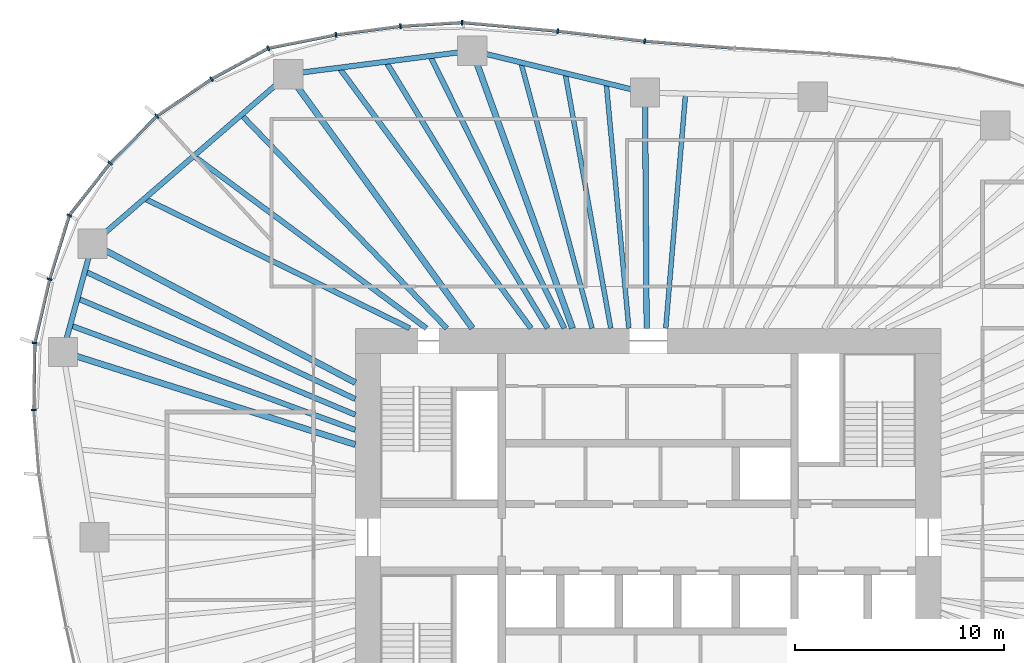
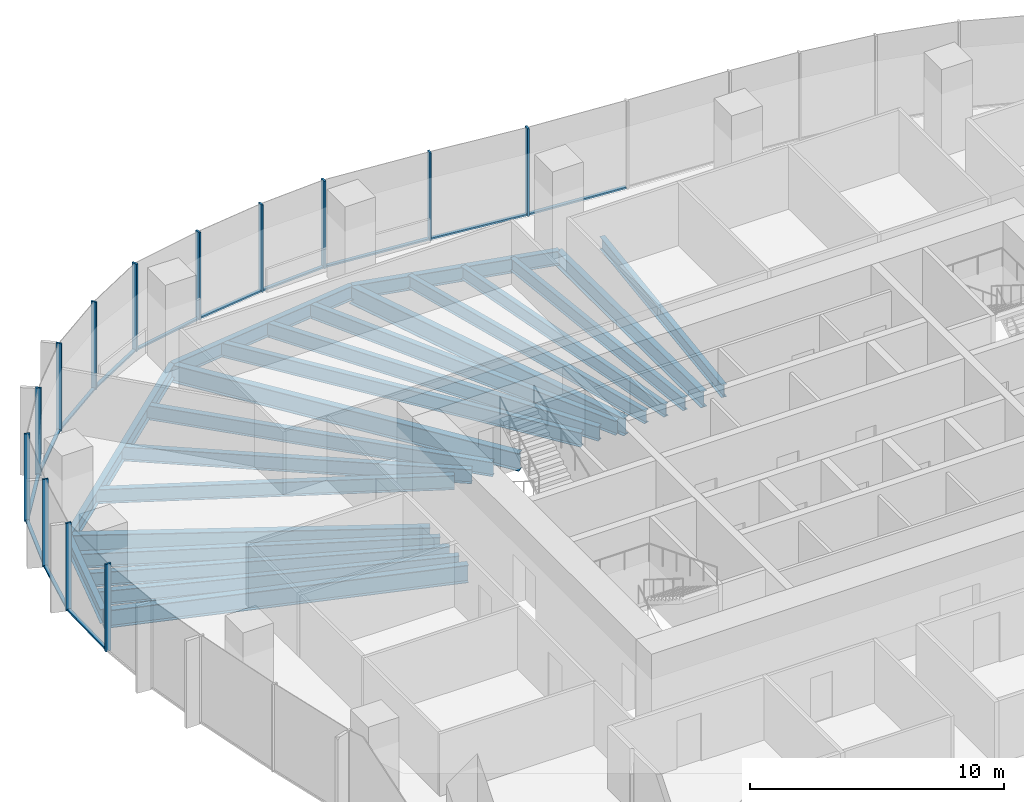
# One storey, part 5 of 18: 26 members, 22 beams, 6 elements without a shape of their own.
"""IFC4 building model written with IfcOpenShell, lengths in metres."""

from ifc_helpers import new_model, si_unit, direction, frame, origin, origin_2d, place, context, subcontext, project, spatial, rectangle, i_section, extrude, material, material_profile, profile_set, type_object, element, aggregate, save


model = new_model("IFC4")

# Units and contexts
model_context = context("Model", 3, precision=1e-05, world=origin(), true_north=direction((0.0, 1.0)))
body_context = subcontext(model_context, "Body", "Model", "MODEL_VIEW")
ifc_project = project(units=[si_unit("LENGTHUNIT", "METRE"), si_unit("AREAUNIT", "SQUARE_METRE"), si_unit("VOLUMEUNIT", "CUBIC_METRE"), si_unit("PLANEANGLEUNIT", "RADIAN"), si_unit("MASSUNIT", "GRAM", prefix="KILO")], contexts=[model_context])

# Site, building, storey
site_placement = place(None, origin())
site = spatial("IfcSite", under=ifc_project, at=site_placement, CompositionType="ELEMENT")
building_placement = place(site_placement, origin())
building = spatial("IfcBuilding", under=site, at=building_placement, Name="Ghaith Harvest Tower", CompositionType="ELEMENT")
storey_placement = place(building_placement, frame((0.0, 0.0, 151.199951171875)))
storey = spatial("IfcBuildingStorey", under=building, at=storey_placement, Name="L32", CompositionType="ELEMENT", Elevation=151.199951171875)

# Curtain wall, members
ifc_material_1 = material(Name="Black anodised aluminium and fritted glass", Category="aluminium")
curtain_wall_type = type_object("IfcCurtainWallType", Name="CW-L CURTAIN WALL", PredefinedType="NOTDEFINED", material=ifc_material_1)
curtain_wall_1_placement = place(storey_placement, origin())
curtain_wall_1 = element("IfcCurtainWall", 1, at=curtain_wall_1_placement, inside=storey, type_object=curtain_wall_type, Name="Curtain wall CW-L bay 06 L32", PredefinedType="NOTDEFINED")
ifc_material_2 = material(Name="Aluminium, black anodised", Category="aluminium")
ifc_material_profile_1 = material_profile(ifc_material_2, rectangle(XDim=0.080078125, YDim=0.239990234375, at=origin_2d()), Name="CW-L MULLION 80x240")
ifc_profile_set_1 = profile_set([ifc_material_profile_1], Name="Aluminium, black anodised")
member_type_1 = type_object("IfcMemberType", Name="CW-L MULLION 80x240", PredefinedType="MULLION", material=ifc_profile_set_1)
member_1_placement = place(storey_placement, frame((-0.162353515625, 23.729736328125, 0.0), z_axis=(0.0, 0.0, 1.0), x_axis=(-0.995388088953, 0.095929934691, 0.0)))
member_1 = element("IfcMember", 2, at=member_1_placement, type_object=member_type_1, Name="CW-L mullion 1 bay 06 L32", PredefinedType="MULLION", context=body_context, shape_type="SweptSolid", body=[
    extrude(rectangle(XDim=0.080078125, YDim=0.239990234375, at=origin_2d()), origin(), (0.0, 0.0, 1.0), 4.199951171875),
])
member_2_placement = place(storey_placement, frame((-4.322998046875, 24.207275390625, 0.0), z_axis=(0.0, 0.0, 1.0), x_axis=(-0.994830371571, 0.101550636625, 0.0)))
member_2 = element("IfcMember", 3, at=member_2_placement, type_object=member_type_1, Name="CW-L mullion 2 bay 06 L32", PredefinedType="MULLION", context=body_context, shape_type="SweptSolid", body=[
    extrude(rectangle(XDim=0.080078125, YDim=0.239990234375, at=origin_2d()), origin(), (0.0, 0.0, 1.0), 4.199951171875),
])

curtain_wall_2_placement = place(storey_placement, origin())
curtain_wall_2 = element("IfcCurtainWall", 4, at=curtain_wall_2_placement, inside=storey, type_object=curtain_wall_type, Name="Curtain wall CW-L bay 07 L32", PredefinedType="NOTDEFINED")
member_3_placement = place(storey_placement, frame((-8.892578125, 24.620849609375, 0.0), z_axis=(0.0, 0.0, 1.0), x_axis=(-0.999522209385, 0.030908784286, 0.0)))
member_3 = element("IfcMember", 5, at=member_3_placement, type_object=member_type_1, Name="CW-L mullion 1 bay 07 L32", PredefinedType="MULLION", context=body_context, shape_type="SweptSolid", body=[
    extrude(rectangle(XDim=0.080078125, YDim=0.239990234375, at=origin_2d()), origin(), (0.0, 0.0, 1.0), 4.199951171875),
])
member_4_placement = place(storey_placement, frame((-11.841064453125, 24.439697265625, 0.0), z_axis=(0.0, 0.0, 1.0), x_axis=(-0.995237520168, -0.097479630949, 0.0)))
member_4 = element("IfcMember", 6, at=member_4_placement, type_object=member_type_1, Name="CW-L mullion 2 bay 07 L32", PredefinedType="MULLION", context=body_context, shape_type="SweptSolid", body=[
    extrude(rectangle(XDim=0.080078125, YDim=0.239990234375, at=origin_2d()), origin(), (0.0, 0.0, 1.0), 4.199951171875),
])
member_5_placement = place(storey_placement, frame((-14.923828125, 24.030029296875, 0.0), z_axis=(0.0, 0.0, 1.0), x_axis=(-0.986494514812, -0.163794298578, 0.0)))
member_5 = element("IfcMember", 7, at=member_5_placement, type_object=member_type_1, Name="CW-L mullion 3 bay 07 L32", PredefinedType="MULLION", context=body_context, shape_type="SweptSolid", body=[
    extrude(rectangle(XDim=0.080078125, YDim=0.239990234375, at=origin_2d()), origin(), (0.0, 0.0, 1.0), 4.199951171875),
])

curtain_wall_3_placement = place(storey_placement, origin())
curtain_wall_3 = element("IfcCurtainWall", 8, at=curtain_wall_3_placement, inside=storey, type_object=curtain_wall_type, Name="Curtain wall CW-L bay 08 L32", PredefinedType="NOTDEFINED")
member_6_placement = place(storey_placement, frame((-18.165283203125, 23.3896484375, 0.0), z_axis=(0.0, 0.0, 1.0), x_axis=(-0.942103541202, -0.335322110298, 0.0)))
member_6 = element("IfcMember", 9, at=member_6_placement, type_object=member_type_1, Name="CW-L mullion 1 bay 08 L32", PredefinedType="MULLION", context=body_context, shape_type="SweptSolid", body=[
    extrude(rectangle(XDim=0.080078125, YDim=0.239990234375, at=origin_2d()), origin(), (0.0, 0.0, 1.0), 4.199951171875),
])
member_7_placement = place(storey_placement, frame((-20.87548828125, 21.91162109375, 0.0), z_axis=(0.0, 0.0, 1.0), x_axis=(-0.853515864435, -0.521066856707, 0.0)))
member_7 = element("IfcMember", 10, at=member_7_placement, type_object=member_type_1, Name="CW-L mullion 2 bay 08 L32", PredefinedType="MULLION", context=body_context, shape_type="SweptSolid", body=[
    extrude(rectangle(XDim=0.080078125, YDim=0.239990234375, at=origin_2d()), origin(), (0.0, 0.0, 1.0), 4.199951171875),
])
member_8_placement = place(storey_placement, frame((-23.489501953125, 20.13916015625, 0.0), z_axis=(0.0, 0.0, 1.0), x_axis=(-0.769682554376, -0.638426789451, 0.0)))
member_8 = element("IfcMember", 11, at=member_8_placement, type_object=member_type_1, Name="CW-L mullion 3 bay 08 L32", PredefinedType="MULLION", context=body_context, shape_type="SweptSolid", body=[
    extrude(rectangle(XDim=0.080078125, YDim=0.239990234375, at=origin_2d()), origin(), (0.0, 0.0, 1.0), 4.199951171875),
])

curtain_wall_4_placement = place(storey_placement, origin())
curtain_wall_4 = element("IfcCurtainWall", 12, at=curtain_wall_4_placement, inside=storey, type_object=curtain_wall_type, Name="Curtain wall CW-L bay 09 L32", PredefinedType="NOTDEFINED")
member_9_placement = place(storey_placement, frame((-25.718017578125, 17.894775390625, 0.0), z_axis=(0.0, 0.0, 1.0), x_axis=(-0.661903840688, -0.749588757708, 0.0)))
member_9 = element("IfcMember", 13, at=member_9_placement, type_object=member_type_1, Name="CW-L mullion 1 bay 09 L32", PredefinedType="MULLION", context=body_context, shape_type="SweptSolid", body=[
    extrude(rectangle(XDim=0.080078125, YDim=0.239990234375, at=origin_2d()), origin(), (0.0, 0.0, 1.0), 4.199951171875),
])
member_10_placement = place(storey_placement, frame((-27.67919921875, 15.39453125, 0.0), z_axis=(0.0, 0.0, 1.0), x_axis=(-0.462889784298, -0.886415843491, 0.0)))
member_10 = element("IfcMember", 14, at=member_10_placement, type_object=member_type_1, Name="CW-L mullion 2 bay 09 L32", PredefinedType="MULLION", context=body_context, shape_type="SweptSolid", body=[
    extrude(rectangle(XDim=0.080078125, YDim=0.239990234375, at=origin_2d()), origin(), (0.0, 0.0, 1.0), 4.199951171875),
])
member_11_placement = place(storey_placement, frame((-28.61669921875, 12.343994140625, 0.0), z_axis=(0.0, 0.0, 1.0), x_axis=(-0.260727312416, -0.965412486226, 0.0)))
member_11 = element("IfcMember", 15, at=member_11_placement, type_object=member_type_1, Name="CW-L mullion 3 bay 09 L32", PredefinedType="MULLION", context=body_context, shape_type="SweptSolid", body=[
    extrude(rectangle(XDim=0.080078125, YDim=0.239990234375, at=origin_2d()), origin(), (0.0, 0.0, 1.0), 4.199951171875),
])

curtain_wall_5_placement = place(storey_placement, origin())
curtain_wall_5 = element("IfcCurtainWall", 16, at=curtain_wall_5_placement, inside=storey, type_object=curtain_wall_type, Name="Curtain wall CW-L bay 10 L32", PredefinedType="NOTDEFINED")
member_12_placement = place(storey_placement, frame((-29.32666015625, 9.294189453125, 0.0), z_axis=(0.0, 0.0, 1.0), x_axis=(-0.120932140225, -0.99266077663, 0.0)))
member_12 = element("IfcMember", 17, at=member_12_placement, type_object=member_type_1, Name="CW-L mullion 1 bay 10 L32", PredefinedType="MULLION", context=body_context, shape_type="SweptSolid", body=[
    extrude(rectangle(XDim=0.080078125, YDim=0.239990234375, at=origin_2d()), origin(), (0.0, 0.0, 1.0), 4.199951171875),
])
member_13_placement = place(storey_placement, frame((-29.3779296875, 6.09619140625, 0.0), z_axis=(0.0, 0.0, 1.0), x_axis=(0.031027769448, -0.999518522851, 0.0)))
member_13 = element("IfcMember", 18, at=member_13_placement, type_object=member_type_1, Name="CW-L mullion 2 bay 10 L32", PredefinedType="MULLION", context=body_context, shape_type="SweptSolid", body=[
    extrude(rectangle(XDim=0.080078125, YDim=0.239990234375, at=origin_2d()), origin(), (0.0, 0.0, 1.0), 4.199951171875),
])

# Curtain wall, member
curtain_wall_6_placement = place(storey_placement, origin())
curtain_wall_6 = element("IfcCurtainWall", 19, at=curtain_wall_6_placement, inside=storey, type_object=curtain_wall_type, Name="Curtain wall CW-L bay 05 L32", PredefinedType="NOTDEFINED")
ifc_material_3 = material(Name="Aluminium, black anodised", Category="aluminium")
ifc_material_profile_2 = material_profile(ifc_material_3, rectangle(XDim=0.14990234375, YDim=0.080078125, at=origin_2d()), Name="CW-L TRANSOM 150x80")
ifc_profile_set_2 = profile_set([ifc_material_profile_2], Name="Aluminium, black anodised")
member_type_2 = type_object("IfcMemberType", Name="CW-L TRANSOM 150x80", PredefinedType="USERDEFINED", material=ifc_profile_set_2)
member_14_placement = place(storey_placement, frame((4.106689453125, 23.39404296875, 0.0400390625), z_axis=(-0.996923406046, 0.078381901463, 0.0), x_axis=(-0.078381901463, -0.996923406046, 0.0)))
member_14 = element("IfcMember", 20, at=member_14_placement, type_object=member_type_2, Name="CW-L transom 2 bay 05 L32", ObjectType="TRANSOM", PredefinedType="USERDEFINED", context=body_context, shape_type="SweptSolid", body=[
    extrude(rectangle(XDim=0.14990234375, YDim=0.080078125, at=origin_2d()), origin(), (0.0, 0.0, 1.0), 4.2421875),
])
aggregate(curtain_wall_6, [member_14])

# Member
member_15_placement = place(storey_placement, frame((-0.2021484375, 23.734130859375, 0.0400390625), z_axis=(-0.993474883942, 0.114051106861, 0.0), x_axis=(-0.114051106861, -0.993474883942, 0.0)))
member_15 = element("IfcMember", 21, at=member_15_placement, type_object=member_type_2, Name="CW-L transom 1 bay 06 L32", ObjectType="TRANSOM", PredefinedType="USERDEFINED", context=body_context, shape_type="SweptSolid", body=[
    extrude(rectangle(XDim=0.14990234375, YDim=0.080078125, at=origin_2d()), origin(), (0.0, 0.0, 1.0), 4.10791015625),
])

member_16_placement = place(storey_placement, frame((-4.36279296875, 24.210693359375, 0.0400390625), z_axis=(-0.995926431676, 0.090169521954, 0.0), x_axis=(-0.090169521954, -0.995926431676, 0.0)))
member_16 = element("IfcMember", 22, at=member_16_placement, type_object=member_type_2, Name="CW-L transom 2 bay 06 L32", ObjectType="TRANSOM", PredefinedType="USERDEFINED", context=body_context, shape_type="SweptSolid", body=[
    extrude(rectangle(XDim=0.14990234375, YDim=0.080078125, at=origin_2d()), origin(), (0.0, 0.0, 1.0), 4.508056640625),
])

aggregate(curtain_wall_1, [member_1, member_15, member_2, member_16])

member_17_placement = place(storey_placement, frame((-8.932373046875, 24.618408203125, 0.0400390625), z_axis=(-0.998117793577, -0.061325933705, 0.0), x_axis=(0.061325933705, -0.998117793577, 0.0)))
member_17 = element("IfcMember", 23, at=member_17_placement, type_object=member_type_2, Name="CW-L transom 1 bay 07 L32", ObjectType="TRANSOM", PredefinedType="USERDEFINED", context=body_context, shape_type="SweptSolid", body=[
    extrude(rectangle(XDim=0.14990234375, YDim=0.080078125, at=origin_2d()), origin(), (0.0, 0.0, 1.0), 2.874267578125),
])

member_18_placement = place(storey_placement, frame((-11.880859375, 24.434326171875, 0.0400390625), z_axis=(-0.991293929443, -0.131667556553, 0.0), x_axis=(0.131667556553, -0.991293929443, 0.0)))
member_18 = element("IfcMember", 24, at=member_18_placement, type_object=member_type_2, Name="CW-L transom 2 bay 07 L32", ObjectType="TRANSOM", PredefinedType="USERDEFINED", context=body_context, shape_type="SweptSolid", body=[
    extrude(rectangle(XDim=0.14990234375, YDim=0.080078125, at=origin_2d()), origin(), (0.0, 0.0, 1.0), 3.02978515625),
])

member_19_placement = place(storey_placement, frame((-14.963134765625, 24.022216796875, 0.0400390625), z_axis=(-0.98104391994, -0.19378551842, 0.0), x_axis=(0.19378551842, -0.98104391994, 0.0)))
member_19 = element("IfcMember", 25, at=member_19_placement, type_object=member_type_2, Name="CW-L transom 3 bay 07 L32", ObjectType="TRANSOM", PredefinedType="USERDEFINED", context=body_context, shape_type="SweptSolid", body=[
    extrude(rectangle(XDim=0.14990234375, YDim=0.080078125, at=origin_2d()), origin(), (0.0, 0.0, 1.0), 3.223876953125),
])

aggregate(curtain_wall_2, [member_3, member_17, member_4, member_18, member_5, member_19])

member_20_placement = place(storey_placement, frame((-18.200439453125, 23.37060546875, 0.0400390625), z_axis=(-0.877929702377, -0.478789554695, 0.0), x_axis=(0.478789554695, -0.877929702377, 0.0)))
member_20 = element("IfcMember", 26, at=member_20_placement, type_object=member_type_2, Name="CW-L transom 1 bay 08 L32", ObjectType="TRANSOM", PredefinedType="USERDEFINED", context=body_context, shape_type="SweptSolid", body=[
    extrude(rectangle(XDim=0.14990234375, YDim=0.080078125, at=origin_2d()), origin(), (0.0, 0.0, 1.0), 3.0068359375),
])

member_21_placement = place(storey_placement, frame((-20.908447265625, 21.88916015625, 0.0400390625), z_axis=(-0.827681025079, -0.561198824593, 0.0), x_axis=(0.561198824593, -0.827681025079, 0.0)))
member_21 = element("IfcMember", 27, at=member_21_placement, type_object=member_type_2, Name="CW-L transom 2 bay 08 L32", ObjectType="TRANSOM", PredefinedType="USERDEFINED", context=body_context, shape_type="SweptSolid", body=[
    extrude(rectangle(XDim=0.14990234375, YDim=0.080078125, at=origin_2d()), origin(), (0.0, 0.0, 1.0), 3.078369140625),
])

member_22_placement = place(storey_placement, frame((-23.517578125, 20.11083984375, 0.0400390625), z_axis=(-0.704647577514, -0.709557461735, 0.0), x_axis=(0.709557461735, -0.704647577514, 0.0)))
member_22 = element("IfcMember", 28, at=member_22_placement, type_object=member_type_2, Name="CW-L transom 3 bay 08 L32", ObjectType="TRANSOM", PredefinedType="USERDEFINED", context=body_context, shape_type="SweptSolid", body=[
    extrude(rectangle(XDim=0.14990234375, YDim=0.080078125, at=origin_2d()), origin(), (0.0, 0.0, 1.0), 3.0830078125),
])

aggregate(curtain_wall_3, [member_6, member_20, member_7, member_21, member_8, member_22])

member_23_placement = place(storey_placement, frame((-25.74267578125, 17.86328125, 0.0400390625), z_axis=(-0.617198298797, -0.786807638474, 0.0), x_axis=(0.786807638474, -0.617198298797, 0.0)))
member_23 = element("IfcMember", 29, at=member_23_placement, type_object=member_type_2, Name="CW-L transom 1 bay 09 L32", ObjectType="TRANSOM", PredefinedType="USERDEFINED", context=body_context, shape_type="SweptSolid", body=[
    extrude(rectangle(XDim=0.14990234375, YDim=0.080078125, at=origin_2d()), origin(), (0.0, 0.0, 1.0), 3.09765625),
])

member_24_placement = place(storey_placement, frame((-27.69091796875, 15.356201171875, 0.0400390625), z_axis=(-0.293777058804, -0.955873966441, 0.0), x_axis=(0.955873966441, -0.293777058804, 0.0)))
member_24 = element("IfcMember", 30, at=member_24_placement, type_object=member_type_2, Name="CW-L transom 2 bay 09 L32", ObjectType="TRANSOM", PredefinedType="USERDEFINED", context=body_context, shape_type="SweptSolid", body=[
    extrude(rectangle(XDim=0.14990234375, YDim=0.080078125, at=origin_2d()), origin(), (0.0, 0.0, 1.0), 3.111328125),
])

member_25_placement = place(storey_placement, frame((-28.6259765625, 12.304931640625, 0.0400390625), z_axis=(-0.226670598607, -0.973971477882, 0.0), x_axis=(0.973971477882, -0.226670598607, 0.0)))
member_25 = element("IfcMember", 31, at=member_25_placement, type_object=member_type_2, Name="CW-L transom 3 bay 09 L32", ObjectType="TRANSOM", PredefinedType="USERDEFINED", context=body_context, shape_type="SweptSolid", body=[
    extrude(rectangle(XDim=0.14990234375, YDim=0.080078125, at=origin_2d()), origin(), (0.0, 0.0, 1.0), 3.05126953125),
])

aggregate(curtain_wall_4, [member_9, member_23, member_10, member_24, member_11, member_25])

member_26_placement = place(storey_placement, frame((-29.327392578125, 9.254150390625, 0.0400390625), z_axis=(-0.015971652868, -0.999872445017, 0.0), x_axis=(0.999872445017, -0.015971652868, 0.0)))
member_26 = element("IfcMember", 32, at=member_26_placement, type_object=member_type_2, Name="CW-L transom 1 bay 10 L32", ObjectType="TRANSOM", PredefinedType="USERDEFINED", context=body_context, shape_type="SweptSolid", body=[
    extrude(rectangle(XDim=0.14990234375, YDim=0.080078125, at=origin_2d()), origin(), (0.0, 0.0, 1.0), 3.118408203125),
])

aggregate(curtain_wall_5, [member_12, member_26, member_13])

# Beams
ifc_material_4 = material(Name="Steel ASTM A992 Grade 50", Category="steel")
ifc_material_profile_3 = material_profile(ifc_material_4, i_section(OverallWidth=0.25390625, OverallDepth=0.68408203125, WebThickness=0.012451171875, FlangeThickness=0.018798828125, at=origin_2d()), Name="W690X140")
ifc_profile_set_3 = profile_set([ifc_material_profile_3], Name="Steel ASTM A992 Grade 50")
beam_type_1 = type_object("IfcBeamType", Name="E690-140 W690X140", PredefinedType="SPANDREL", material=ifc_profile_set_3)
beam_1_placement = place(storey_placement, frame((-0.14599609375, 21.27099609375, -0.511962890625), z_axis=(-0.971790293477, 0.235846614358, 0.0), x_axis=(-0.235846614358, -0.971790293477, 0.0)))
element("IfcBeam", 33, at=beam_1_placement, inside=storey, type_object=beam_type_1, Name="Edge beam E06 L32", PredefinedType="SPANDREL", context=body_context, shape_type="SweptSolid", body=[
    extrude(i_section(OverallWidth=0.25390625, OverallDepth=0.68408203125, WebThickness=0.012451171875, FlangeThickness=0.018798828125, at=origin_2d()), origin(), (0.0, 0.0, 1.0), 8.500732421875),
])
beam_2_placement = place(storey_placement, frame((-8.406982421875, 23.27587890625, -0.511962890625), z_axis=(-0.991904090065, -0.126989275577, 0.0), x_axis=(0.126989275577, -0.991904090065, 0.0)))
element("IfcBeam", 34, at=beam_2_placement, inside=storey, type_object=beam_type_1, Name="Edge beam E07 L32", PredefinedType="SPANDREL", context=body_context, shape_type="SweptSolid", body=[
    extrude(i_section(OverallWidth=0.25390625, OverallDepth=0.68408203125, WebThickness=0.012451171875, FlangeThickness=0.018798828125, at=origin_2d()), origin(), (0.0, 0.0, 1.0), 8.86669921875),
])
beam_3_placement = place(storey_placement, frame((-17.201904296875, 22.14990234375, -0.511962890625), z_axis=(-0.756392158274, -0.654118416574, 0.0), x_axis=(0.654118416574, -0.756392158274, 0.0)))
element("IfcBeam", 35, at=beam_3_placement, inside=storey, type_object=beam_type_1, Name="Edge beam E08 L32", PredefinedType="SPANDREL", context=body_context, shape_type="SweptSolid", body=[
    extrude(i_section(OverallWidth=0.25390625, OverallDepth=0.68408203125, WebThickness=0.012451171875, FlangeThickness=0.018798828125, at=origin_2d()), origin(), (0.0, 0.0, 1.0), 12.38916015625),
])
beam_4_placement = place(storey_placement, frame((-26.572998046875, 14.0458984375, -0.511962890625), z_axis=(-0.262724740433, -0.964870825947, 0.0), x_axis=(0.964870825947, -0.262724740433, 0.0)))
element("IfcBeam", 36, at=beam_4_placement, inside=storey, type_object=beam_type_1, Name="Edge beam E09 L32", PredefinedType="SPANDREL", context=body_context, shape_type="SweptSolid", body=[
    extrude(i_section(OverallWidth=0.25390625, OverallDepth=0.68408203125, WebThickness=0.012451171875, FlangeThickness=0.018798828125, at=origin_2d()), origin(), (0.0, 0.0, 1.0), 5.366455078125),
])
ifc_material_5 = material(Name="Steel ASTM A992 Grade 50", Category="steel")
ifc_material_profile_4 = material_profile(ifc_material_5, i_section(OverallWidth=0.26806640625, OverallDepth=0.77001953125, WebThickness=0.015625, FlangeThickness=0.025390625, at=origin_2d()), Name="W760X196")
ifc_profile_set_4 = profile_set([ifc_material_profile_4], Name="Steel ASTM A992 Grade 50")
beam_type_2 = type_object("IfcBeamType", Name="G760-196 W760X196", PredefinedType="BEAM", material=ifc_profile_set_4)
beam_5_placement = place(storey_placement, frame((-0.068359375, 10.0, -0.554931640625), z_axis=(-0.006888022705, 0.99997627729, 0.0), x_axis=(-0.99997627729, -0.006888022705, 0.0)))
element("IfcBeam", 37, at=beam_5_placement, inside=storey, type_object=beam_type_2, Name="Radial girder G06 L32", PredefinedType="BEAM", context=body_context, shape_type="SweptSolid", body=[
    extrude(i_section(OverallWidth=0.26806640625, OverallDepth=0.77001953125, WebThickness=0.015625, FlangeThickness=0.025390625, at=origin_2d()), origin(), (0.0, 0.0, 1.0), 11.271240234375),
])
ifc_material_6 = material(Name="Steel ASTM A992 Grade 50", Category="steel")
ifc_material_profile_5 = material_profile(ifc_material_6, i_section(OverallWidth=0.2939453125, OverallDepth=0.85107421875, WebThickness=0.01611328125, FlangeThickness=0.02685546875, at=origin_2d()), Name="W840X226")
ifc_profile_set_5 = profile_set([ifc_material_profile_5], Name="Steel ASTM A992 Grade 50")
beam_type_3 = type_object("IfcBeamType", Name="G840-226 W840X226", PredefinedType="BEAM", material=ifc_profile_set_5)
beam_6_placement = place(storey_placement, frame((-3.61181640625, 10.0, -0.595458984375), z_axis=(-0.339713316819, 0.940529033245, 0.0), x_axis=(-0.940529033245, -0.339713316819, 0.0)))
element("IfcBeam", 38, at=beam_6_placement, inside=storey, type_object=beam_type_3, Name="Radial girder G07 L32", PredefinedType="BEAM", context=body_context, shape_type="SweptSolid", body=[
    extrude(i_section(OverallWidth=0.2939453125, OverallDepth=0.85107421875, WebThickness=0.01611328125, FlangeThickness=0.02685546875, at=origin_2d()), origin(), (0.0, 0.0, 1.0), 14.115234375),
])
beam_7_placement = place(storey_placement, frame((-8.39990234375, 10.0, -0.595458984375), z_axis=(-0.586675813287, 0.809821887889, 0.0), x_axis=(-0.809821887889, -0.586675813287, 0.0)))
element("IfcBeam", 39, at=beam_7_placement, inside=storey, type_object=beam_type_3, Name="Radial girder G08 L32", PredefinedType="BEAM", context=body_context, shape_type="SweptSolid", body=[
    extrude(i_section(OverallWidth=0.2939453125, OverallDepth=0.85107421875, WebThickness=0.01611328125, FlangeThickness=0.02685546875, at=origin_2d()), origin(), (0.0, 0.0, 1.0), 15.003173828125),
])
beam_8_placement = place(storey_placement, frame((-14.0, 7.39990234375, -0.595458984375), z_axis=(-0.88408713845, 0.467322085533, 0.0), x_axis=(-0.467322085533, -0.88408713845, 0.0)))
element("IfcBeam", 40, at=beam_8_placement, inside=storey, type_object=beam_type_3, Name="Radial girder G09 L32", PredefinedType="BEAM", context=body_context, shape_type="SweptSolid", body=[
    extrude(i_section(OverallWidth=0.2939453125, OverallDepth=0.85107421875, WebThickness=0.01611328125, FlangeThickness=0.02685546875, at=origin_2d()), origin(), (0.0, 0.0, 1.0), 14.221435546875),
])
beam_9_placement = place(storey_placement, frame((-14.0, 4.43701171875, -0.595458984375), z_axis=(-0.953283605796, 0.302076756671, 0.0), x_axis=(-0.302076756671, -0.953283605796, 0.0)))
element("IfcBeam", 41, at=beam_9_placement, inside=storey, type_object=beam_type_3, Name="Radial girder G10 L32", PredefinedType="BEAM", context=body_context, shape_type="SweptSolid", body=[
    extrude(i_section(OverallWidth=0.2939453125, OverallDepth=0.85107421875, WebThickness=0.01611328125, FlangeThickness=0.02685546875, at=origin_2d()), origin(), (0.0, 0.0, 1.0), 14.668212890625),
])
ifc_material_7 = material(Name="Steel ASTM A992 Grade 50", Category="steel")
ifc_material_profile_6 = material_profile(ifc_material_7, i_section(OverallWidth=0.22900390625, OverallDepth=0.612060546875, WebThickness=0.011962890625, FlangeThickness=0.01953125, at=origin_2d()), Name="W610X125")
ifc_profile_set_6 = profile_set([ifc_material_profile_6], Name="Steel ASTM A992 Grade 50")
beam_type_4 = type_object("IfcBeamType", Name="J610-125 W610X125", PredefinedType="JOIST", material=ifc_profile_set_6)
beam_10_placement = place(storey_placement, frame((0.844970703125, 10.0, -0.475830078125), z_axis=(0.084213263804, 0.996447753873, 0.0), x_axis=(-0.996447753873, 0.084213263804, 0.0)))
element("IfcBeam", 42, at=beam_10_placement, inside=storey, type_object=beam_type_4, Name="Joist J05.3 L32", PredefinedType="JOIST", context=body_context, shape_type="SweptSolid", body=[
    extrude(i_section(OverallWidth=0.22900390625, OverallDepth=0.612060546875, WebThickness=0.011962890625, FlangeThickness=0.01953125, at=origin_2d()), origin(), (0.0, 0.0, 1.0), 11.262939453125),
])
beam_11_placement = place(storey_placement, frame((-0.92041015625, 10.0, -0.475830078125), z_axis=(-0.091659676302, 0.995790391468, 0.0), x_axis=(-0.995790391468, -0.091659676302, 0.0)))
element("IfcBeam", 43, at=beam_11_placement, inside=storey, type_object=beam_type_4, Name="Joist J06.1 L32", PredefinedType="JOIST", context=body_context, shape_type="SweptSolid", body=[
    extrude(i_section(OverallWidth=0.22900390625, OverallDepth=0.612060546875, WebThickness=0.011962890625, FlangeThickness=0.01953125, at=origin_2d()), origin(), (0.0, 0.0, 1.0), 11.770263671875),
])
beam_12_placement = place(storey_placement, frame((-1.785888671875, 10.0, -0.475830078125), z_axis=(-0.175794730188, 0.984426844838, 0.0), x_axis=(-0.984426844838, -0.175794730188, 0.0)))
element("IfcBeam", 44, at=beam_12_placement, inside=storey, type_object=beam_type_4, Name="Joist J06.2 L32", PredefinedType="JOIST", context=body_context, shape_type="SweptSolid", body=[
    extrude(i_section(OverallWidth=0.22900390625, OverallDepth=0.612060546875, WebThickness=0.011962890625, FlangeThickness=0.01953125, at=origin_2d()), origin(), (0.0, 0.0, 1.0), 12.390625),
])
beam_13_placement = place(storey_placement, frame((-2.677978515625, 10.0, -0.475830078125), z_axis=(-0.258692500157, 0.965959725021, 0.0), x_axis=(-0.965959725021, -0.258692500157, 0.0)))
element("IfcBeam", 45, at=beam_13_placement, inside=storey, type_object=beam_type_4, Name="Joist J06.3 L32", PredefinedType="JOIST", context=body_context, shape_type="SweptSolid", body=[
    extrude(i_section(OverallWidth=0.22900390625, OverallDepth=0.612060546875, WebThickness=0.011962890625, FlangeThickness=0.01953125, at=origin_2d()), origin(), (0.0, 0.0, 1.0), 13.15966796875),
])
ifc_material_8 = material(Name="Steel ASTM A992 Grade 50", Category="steel")
ifc_material_profile_7 = material_profile(ifc_material_8, i_section(OverallWidth=0.25390625, OverallDepth=0.68408203125, WebThickness=0.012451171875, FlangeThickness=0.018798828125, at=origin_2d()), Name="W690X140")
ifc_profile_set_7 = profile_set([ifc_material_profile_7], Name="Steel ASTM A992 Grade 50")
beam_type_5 = type_object("IfcBeamType", Name="J690-140 W690X140", PredefinedType="JOIST", material=ifc_profile_set_7)
beam_14_placement = place(storey_placement, frame((-4.0, 10.0, -0.511962890625), z_axis=(-0.442214455448, 0.896909346251, 0.0), x_axis=(-0.896909346251, -0.442214455448, 0.0)))
element("IfcBeam", 46, at=beam_14_placement, inside=storey, type_object=beam_type_5, Name="Joist J07.1 L32", PredefinedType="JOIST", context=body_context, shape_type="SweptSolid", body=[
    extrude(i_section(OverallWidth=0.25390625, OverallDepth=0.68408203125, WebThickness=0.012451171875, FlangeThickness=0.018798828125, at=origin_2d()), origin(), (0.0, 0.0, 1.0), 14.514892578125),
])
beam_15_placement = place(storey_placement, frame((-4.800048828125, 10.0, -0.511962890625), z_axis=(-0.51847337083, 0.855093774822, 0.0), x_axis=(-0.855093774822, -0.51847337083, 0.0)))
element("IfcBeam", 47, at=beam_15_placement, inside=storey, type_object=beam_type_5, Name="Joist J07.2 L32", PredefinedType="JOIST", context=body_context, shape_type="SweptSolid", body=[
    extrude(i_section(OverallWidth=0.25390625, OverallDepth=0.68408203125, WebThickness=0.012451171875, FlangeThickness=0.018798828125, at=origin_2d()), origin(), (0.0, 0.0, 1.0), 14.90869140625),
])
beam_16_placement = place(storey_placement, frame((-5.60009765625, 10.0, -0.511962890625), z_axis=(-0.592984827174, 0.805213632983, 0.0), x_axis=(-0.805213632983, -0.592984827174, 0.0)))
element("IfcBeam", 48, at=beam_16_placement, inside=storey, type_object=beam_type_5, Name="Joist J07.3 L32", PredefinedType="JOIST", context=body_context, shape_type="SweptSolid", body=[
    extrude(i_section(OverallWidth=0.25390625, OverallDepth=0.68408203125, WebThickness=0.012451171875, FlangeThickness=0.018798828125, at=origin_2d()), origin(), (0.0, 0.0, 1.0), 15.474609375),
])
beam_17_placement = place(storey_placement, frame((-9.626708984375, 10.0, -0.511962890625), z_axis=(-0.693535693616, 0.720422266231, 0.0), x_axis=(-0.720422266231, -0.693535693616, 0.0)))
element("IfcBeam", 49, at=beam_17_placement, inside=storey, type_object=beam_type_5, Name="Joist J08.1 L32", PredefinedType="JOIST", context=body_context, shape_type="SweptSolid", body=[
    extrude(i_section(OverallWidth=0.25390625, OverallDepth=0.68408203125, WebThickness=0.012451171875, FlangeThickness=0.018798828125, at=origin_2d()), origin(), (0.0, 0.0, 1.0), 14.16552734375),
])
beam_18_placement = place(storey_placement, frame((-10.60009765625, 10.0, -0.511962890625), z_axis=(-0.803663089107, 0.595084564752, 0.0), x_axis=(-0.595084564752, -0.803663089107, 0.0)))
element("IfcBeam", 50, at=beam_18_placement, inside=storey, type_object=beam_type_5, Name="Joist J08.2 L32", PredefinedType="JOIST", context=body_context, shape_type="SweptSolid", body=[
    extrude(i_section(OverallWidth=0.25390625, OverallDepth=0.68408203125, WebThickness=0.012451171875, FlangeThickness=0.018798828125, at=origin_2d()), origin(), (0.0, 0.0, 1.0), 13.843505859375),
])
beam_19_placement = place(storey_placement, frame((-11.39990234375, 10.0, -0.511962890625), z_axis=(-0.898274832354, 0.439434096946, 0.0), x_axis=(-0.439434096946, -0.898274832354, 0.0)))
element("IfcBeam", 51, at=beam_19_placement, inside=storey, type_object=beam_type_5, Name="Joist J08.3 L32", PredefinedType="JOIST", context=body_context, shape_type="SweptSolid", body=[
    extrude(i_section(OverallWidth=0.25390625, OverallDepth=0.68408203125, WebThickness=0.012451171875, FlangeThickness=0.018798828125, at=origin_2d()), origin(), (0.0, 0.0, 1.0), 14.114990234375),
])
beam_20_placement = place(storey_placement, frame((-14.0, 6.614990234375, -0.511962890625), z_axis=(-0.904153428261, 0.427207886354, 0.0), x_axis=(-0.427207886354, -0.904153428261, 0.0)))
element("IfcBeam", 52, at=beam_20_placement, inside=storey, type_object=beam_type_5, Name="Joist J09.1 L32", PredefinedType="JOIST", context=body_context, shape_type="SweptSolid", body=[
    extrude(i_section(OverallWidth=0.25390625, OverallDepth=0.68408203125, WebThickness=0.012451171875, FlangeThickness=0.018798828125, at=origin_2d()), origin(), (0.0, 0.0, 1.0), 14.303466796875),
])
beam_21_placement = place(storey_placement, frame((-14.0, 5.862548828125, -0.511962890625), z_axis=(-0.922385943167, 0.38626955853, 0.0), x_axis=(-0.38626955853, -0.922385943167, 0.0)))
element("IfcBeam", 53, at=beam_21_placement, inside=storey, type_object=beam_type_5, Name="Joist J09.2 L32", PredefinedType="JOIST", context=body_context, shape_type="SweptSolid", body=[
    extrude(i_section(OverallWidth=0.25390625, OverallDepth=0.68408203125, WebThickness=0.012451171875, FlangeThickness=0.018798828125, at=origin_2d()), origin(), (0.0, 0.0, 1.0), 14.404296875),
])
beam_22_placement = place(storey_placement, frame((-14.0, 5.137939453125, -0.511962890625), z_axis=(-0.93877541132, 0.344529718748, 0.0), x_axis=(-0.344529718748, -0.93877541132, 0.0)))
element("IfcBeam", 54, at=beam_22_placement, inside=storey, type_object=beam_type_5, Name="Joist J09.3 L32", PredefinedType="JOIST", context=body_context, shape_type="SweptSolid", body=[
    extrude(i_section(OverallWidth=0.25390625, OverallDepth=0.68408203125, WebThickness=0.012451171875, FlangeThickness=0.018798828125, at=origin_2d()), origin(), (0.0, 0.0, 1.0), 14.525390625),
])

save(model, "model.ifc")
